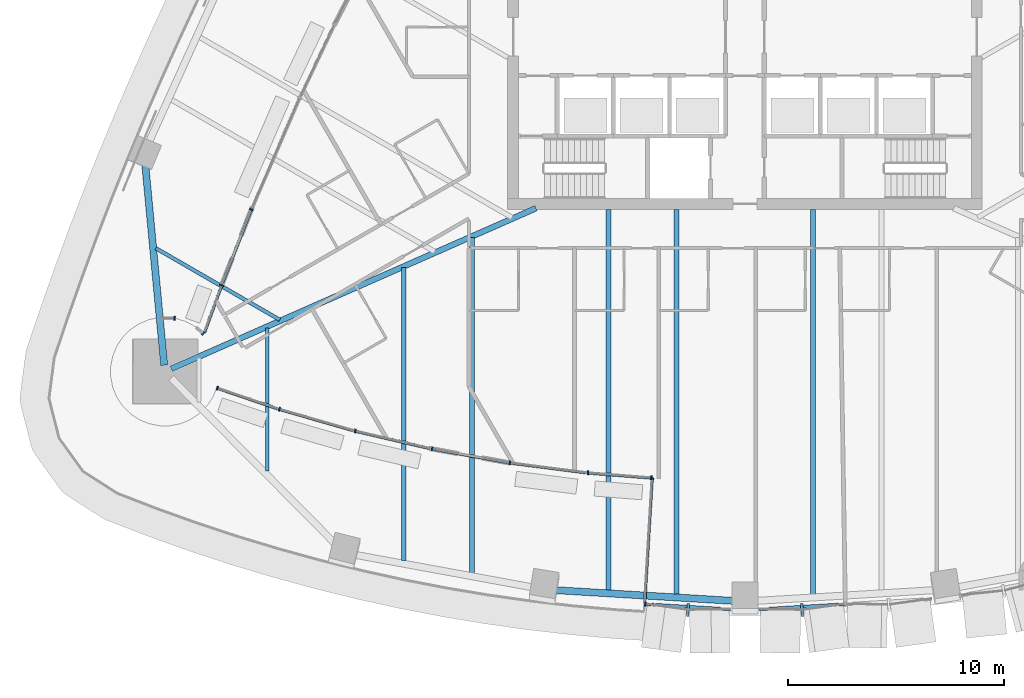
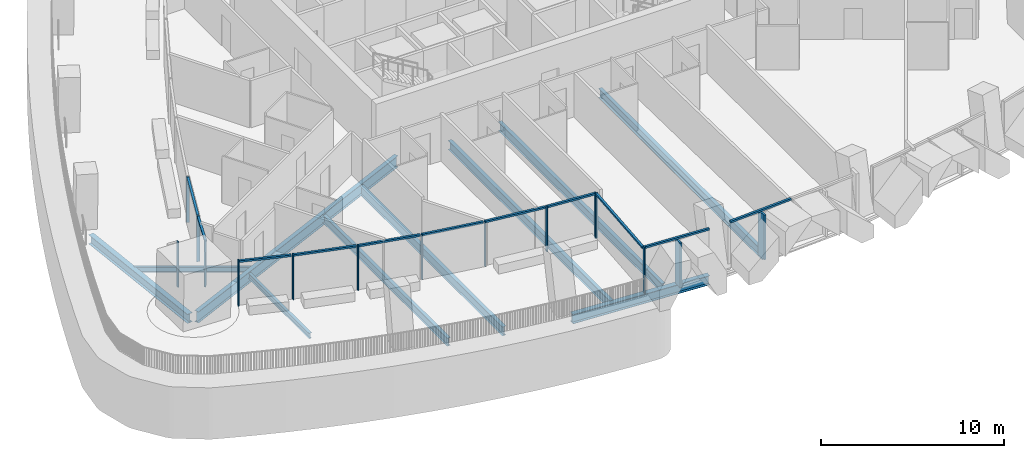
# One storey, part 2 of 24: 26 members, 10 beams, 13 elements without a shape of their own.
"""IFC4 building model written with IfcOpenShell, lengths in metres."""

from ifc_helpers import new_model, si_unit, direction, frame, origin, origin_2d, place, context, subcontext, project, spatial, rectangle, i_section, extrude, material, layer, layer_set, material_profile, profile_set, type_object, element, aggregate, save


model = new_model("IFC4")

# Units and contexts
model_context = context("Model", 3, precision=1e-05, world=origin(), true_north=direction((0.0, 1.0)))
body_context = subcontext(model_context, "Body", "Model", "MODEL_VIEW")
ifc_project = project(units=[si_unit("LENGTHUNIT", "METRE"), si_unit("AREAUNIT", "SQUARE_METRE"), si_unit("VOLUMEUNIT", "CUBIC_METRE"), si_unit("PLANEANGLEUNIT", "RADIAN"), si_unit("MASSUNIT", "GRAM", prefix="KILO")], contexts=[model_context])

# Site, building, storey
site_placement = place(None, origin())
site = spatial("IfcSite", under=ifc_project, at=site_placement, CompositionType="ELEMENT")
building_placement = place(site_placement, origin())
building = spatial("IfcBuilding", under=site, at=building_placement, Name="Sierra Prisma Convention Tower", CompositionType="ELEMENT")
storey_placement = place(building_placement, frame((0.0, 0.0, 59.10009765625)))
storey = spatial("IfcBuildingStorey", under=building, at=storey_placement, Name="L10", CompositionType="ELEMENT", Elevation=59.10009765625)

# Curtain wall, member
ifc_material_1 = material(Name="Aluminium and glass curtain wall", Category="aluminium")
ifc_layer_1 = layer(ifc_material_1, 0.179931640625)
ifc_layer_set_1 = layer_set([ifc_layer_1], Name="CW-2 Faceted crystal curtain wall")
curtain_wall_type_1 = type_object("IfcCurtainWallType", Name="CW-2 Faceted crystal curtain wall", PredefinedType="NOTDEFINED", material=ifc_layer_set_1)
curtain_wall_1_placement = place(storey_placement, origin())
curtain_wall_1 = element("IfcCurtainWall", 1, at=curtain_wall_1_placement, inside=storey, type_object=curtain_wall_type_1, Name="CW-2 S3b L10", PredefinedType="NOTDEFINED")
ifc_material_2 = material(Name="Aluminium 6063-T6 bronze anodised", Category="aluminium")
ifc_material_profile_1 = material_profile(ifc_material_2, rectangle(XDim=0.1201171875, YDim=0.60009765625, at=origin_2d()), Name="ALU RIDGE BLADE 120x600")
ifc_profile_set_1 = profile_set([ifc_material_profile_1], Name="Aluminium 6063-T6 bronze anodised")
member_type_1 = type_object("IfcMemberType", Name="CW hip bronze", PredefinedType="MULLION", material=ifc_profile_set_1)
member_1_placement = place(storey_placement, frame((-2.63720703125, -26.591552734375, 0.0), z_axis=(0.0, 0.0, 1.0), x_axis=(0.998203551738, -0.059913848972, 0.0)))
member_1 = element("IfcMember", 2, at=member_1_placement, type_object=member_type_1, Name="CW-2 ridge S3b.1", PredefinedType="MULLION", context=body_context, shape_type="SweptSolid", body=[
    extrude(rectangle(XDim=0.1201171875, YDim=0.60009765625, at=origin_2d()), origin(), (0.0, 0.0, 1.0), 2.97998046875),
])

curtain_wall_2_placement = place(storey_placement, origin())
curtain_wall_2 = element("IfcCurtainWall", 3, at=curtain_wall_2_placement, inside=storey, type_object=curtain_wall_type_1, Name="CW-2 S4 L10", PredefinedType="NOTDEFINED")
member_2_placement = place(storey_placement, frame((2.65478515625, -26.591796875, 0.0), z_axis=(0.0, 0.0, 1.0), x_axis=(0.998203551738, 0.059913848972, 0.0)))
member_2 = element("IfcMember", 4, at=member_2_placement, type_object=member_type_1, Name="CW-2 ridge S4.1", PredefinedType="MULLION", context=body_context, shape_type="SweptSolid", body=[
    extrude(rectangle(XDim=0.1201171875, YDim=0.60009765625, at=origin_2d()), origin(), (0.0, 0.0, 1.0), 2.97998046875),
])

# Member
ifc_material_3 = material(Name="Aluminium 6063-T6 bronze anodised", Category="aluminium")
ifc_material_profile_2 = material_profile(ifc_material_3, rectangle(XDim=0.179931640625, YDim=0.070068359375, at=origin_2d()), Name="ALU MULLION 70x180")
ifc_profile_set_2 = profile_set([ifc_material_profile_2], Name="Aluminium 6063-T6 bronze anodised")
member_type_2 = type_object("IfcMemberType", Name="CW mullion bronze", PredefinedType="MULLION", material=ifc_profile_set_2)
member_3_placement = place(storey_placement, frame((-4.6220703125, -26.317626953125, 0.0), z_axis=(0.0, 0.0, 1.0), x_axis=(0.059913848972, 0.998203551738, 0.0)))
member_3 = element("IfcMember", 5, at=member_3_placement, type_object=member_type_2, Name="CW-1 mullion S3b.1", PredefinedType="MULLION", context=body_context, shape_type="SweptSolid", body=[
    extrude(rectangle(XDim=0.179931640625, YDim=0.070068359375, at=origin_2d()), origin(), (0.0, 0.0, 1.0), 3.099853515625),
])

# Curtain wall, member
ifc_material_4 = material(Name="Aluminium and glass curtain wall", Category="aluminium")
ifc_layer_2 = layer(ifc_material_4, 0.179931640625)
ifc_layer_set_2 = layer_set([ifc_layer_2], Name="CW-6 Terrace recess curtain wall")
curtain_wall_type_2 = type_object("IfcCurtainWallType", Name="CW-6 Terrace recess curtain wall", PredefinedType="NOTDEFINED", material=ifc_layer_set_2)
curtain_wall_3_placement = place(storey_placement, origin())
curtain_wall_3 = element("IfcCurtainWall", 6, at=curtain_wall_3_placement, inside=storey, type_object=curtain_wall_type_2, Name="CW-6 R6 L10", PredefinedType="NOTDEFINED")
member_4_placement = place(storey_placement, frame((-22.8876953125, -8.011962890625, 0.0), z_axis=(0.0, 0.0, 1.0), x_axis=(0.930852029514, -0.365396358972, 0.0)))
member_4 = element("IfcMember", 7, at=member_4_placement, type_object=member_type_2, Name="CW-6 mullion R6.1", PredefinedType="MULLION", context=body_context, shape_type="SweptSolid", body=[
    extrude(rectangle(XDim=0.179931640625, YDim=0.070068359375, at=origin_2d()), origin(), (0.0, 0.0, 1.0), 3.039794921875),
])

curtain_wall_4_placement = place(storey_placement, origin())
curtain_wall_4 = element("IfcCurtainWall", 8, at=curtain_wall_4_placement, inside=storey, type_object=curtain_wall_type_2, Name="CW-6 R7 L10", PredefinedType="NOTDEFINED")
member_5_placement = place(storey_placement, frame((-24.26513671875, -11.522705078125, 0.0), z_axis=(0.0, 0.0, 1.0), x_axis=(0.939353847728, -0.342949484266, 0.0)))
member_5 = element("IfcMember", 9, at=member_5_placement, type_object=member_type_2, Name="CW-6 mullion R7.1", PredefinedType="MULLION", context=body_context, shape_type="SweptSolid", body=[
    extrude(rectangle(XDim=0.179931640625, YDim=0.070068359375, at=origin_2d()), origin(), (0.0, 0.0, 1.0), 3.039794921875),
])

curtain_wall_5_placement = place(storey_placement, origin())
curtain_wall_5 = element("IfcCurtainWall", 10, at=curtain_wall_5_placement, inside=storey, type_object=curtain_wall_type_2, Name="CW-6 R8 L10", PredefinedType="NOTDEFINED")
member_6_placement = place(storey_placement, frame((-25.116455078125, -13.759033203125, 0.0), z_axis=(0.0, 0.0, 1.0), x_axis=(-0.643610345936, -0.76535333187, 0.0)))
member_6 = element("IfcMember", 11, at=member_6_placement, type_object=member_type_2, Name="CW-6 mullion R8.1", PredefinedType="MULLION", context=body_context, shape_type="SweptSolid", body=[
    extrude(rectangle(XDim=0.179931640625, YDim=0.070068359375, at=origin_2d()), origin(), (0.0, 0.0, 1.0), 3.039794921875),
])
aggregate(curtain_wall_5, [member_6])

curtain_wall_6_placement = place(storey_placement, origin())
curtain_wall_6 = element("IfcCurtainWall", 12, at=curtain_wall_6_placement, inside=storey, type_object=curtain_wall_type_2, Name="CW-6 R11 L10", PredefinedType="NOTDEFINED")
member_7_placement = place(storey_placement, frame((-26.445068359375, -13.057373046875, 0.0), z_axis=(0.0, 0.0, 1.0), x_axis=(-0.049067674327, -0.998795456205, 0.0)))
member_7 = element("IfcMember", 13, at=member_7_placement, type_object=member_type_2, Name="CW-6 mullion R11.1", PredefinedType="MULLION", context=body_context, shape_type="SweptSolid", body=[
    extrude(rectangle(XDim=0.179931640625, YDim=0.070068359375, at=origin_2d()), origin(), (0.0, 0.0, 1.0), 3.039794921875),
])
aggregate(curtain_wall_6, [member_7])

curtain_wall_7_placement = place(storey_placement, origin())
curtain_wall_7 = element("IfcCurtainWall", 14, at=curtain_wall_7_placement, inside=storey, type_object=curtain_wall_type_2, Name="CW-6 R34 L10", PredefinedType="NOTDEFINED")
member_8_placement = place(storey_placement, frame((-24.4638671875, -16.29638671875, 0.0), z_axis=(0.0, 0.0, 1.0), x_axis=(0.322586394211, 0.946540024653, 0.0)))
member_8 = element("IfcMember", 15, at=member_8_placement, type_object=member_type_2, Name="CW-6 mullion R34.1", PredefinedType="MULLION", context=body_context, shape_type="SweptSolid", body=[
    extrude(rectangle(XDim=0.179931640625, YDim=0.070068359375, at=origin_2d()), origin(), (0.0, 0.0, 1.0), 3.039794921875),
])

curtain_wall_8_placement = place(storey_placement, origin())
curtain_wall_8 = element("IfcCurtainWall", 16, at=curtain_wall_8_placement, inside=storey, type_object=curtain_wall_type_2, Name="CW-6 R35 L10", PredefinedType="NOTDEFINED")
member_9_placement = place(storey_placement, frame((-21.589111328125, -17.274169921875, 0.0), z_axis=(0.0, 0.0, 1.0), x_axis=(0.276491863077, 0.961016258786, 0.0)))
member_9 = element("IfcMember", 17, at=member_9_placement, type_object=member_type_2, Name="CW-6 mullion R35.1", PredefinedType="MULLION", context=body_context, shape_type="SweptSolid", body=[
    extrude(rectangle(XDim=0.179931640625, YDim=0.070068359375, at=origin_2d()), origin(), (0.0, 0.0, 1.0), 3.039794921875),
])

curtain_wall_9_placement = place(storey_placement, origin())
curtain_wall_9 = element("IfcCurtainWall", 18, at=curtain_wall_9_placement, inside=storey, type_object=curtain_wall_type_2, Name="CW-6 R36 L10", PredefinedType="NOTDEFINED")
member_10_placement = place(storey_placement, frame((-18.0712890625, -18.284423828125, 0.0), z_axis=(0.0, 0.0, 1.0), x_axis=(0.227205213604, 0.97384690322, 0.0)))
member_10 = element("IfcMember", 19, at=member_10_placement, type_object=member_type_2, Name="CW-6 mullion R36.1", PredefinedType="MULLION", context=body_context, shape_type="SweptSolid", body=[
    extrude(rectangle(XDim=0.179931640625, YDim=0.070068359375, at=origin_2d()), origin(), (0.0, 0.0, 1.0), 3.039794921875),
])

curtain_wall_10_placement = place(storey_placement, origin())
curtain_wall_10 = element("IfcCurtainWall", 20, at=curtain_wall_10_placement, inside=storey, type_object=curtain_wall_type_2, Name="CW-6 R37 L10", PredefinedType="NOTDEFINED")
member_11_placement = place(storey_placement, frame((-14.506591796875, -19.1142578125, 0.0), z_axis=(0.0, 0.0, 1.0), x_axis=(0.177329239418, 0.984151584283, 0.0)))
member_11 = element("IfcMember", 21, at=member_11_placement, type_object=member_type_2, Name="CW-6 mullion R37.1", PredefinedType="MULLION", context=body_context, shape_type="SweptSolid", body=[
    extrude(rectangle(XDim=0.179931640625, YDim=0.070068359375, at=origin_2d()), origin(), (0.0, 0.0, 1.0), 3.039794921875),
])

curtain_wall_11_placement = place(storey_placement, origin())
curtain_wall_11 = element("IfcCurtainWall", 22, at=curtain_wall_11_placement, inside=storey, type_object=curtain_wall_type_2, Name="CW-6 R38 L10", PredefinedType="NOTDEFINED")
member_12_placement = place(storey_placement, frame((-10.904296875, -19.76171875, 0.0), z_axis=(0.0, 0.0, 1.0), x_axis=(0.126993308782, 0.991903573703, 0.0)))
member_12 = element("IfcMember", 23, at=member_12_placement, type_object=member_type_2, Name="CW-6 mullion R38.1", PredefinedType="MULLION", context=body_context, shape_type="SweptSolid", body=[
    extrude(rectangle(XDim=0.179931640625, YDim=0.070068359375, at=origin_2d()), origin(), (0.0, 0.0, 1.0), 3.039794921875),
])

# Curtain wall, members
curtain_wall_12_placement = place(storey_placement, origin())
curtain_wall_12 = element("IfcCurtainWall", 24, at=curtain_wall_12_placement, inside=storey, type_object=curtain_wall_type_2, Name="CW-6 R39 L10", PredefinedType="NOTDEFINED")
member_13_placement = place(storey_placement, frame((-7.2734375, -20.224853515625, 0.0), z_axis=(0.0, 0.0, 1.0), x_axis=(0.079058299122, 0.996869994202, 0.0)))
member_13 = element("IfcMember", 25, at=member_13_placement, type_object=member_type_2, Name="CW-6 mullion R39.1", PredefinedType="MULLION", context=body_context, shape_type="SweptSolid", body=[
    extrude(rectangle(XDim=0.179931640625, YDim=0.070068359375, at=origin_2d()), origin(), (0.0, 0.0, 1.0), 3.039794921875),
])
member_14_placement = place(storey_placement, frame((-4.34033203125, -20.457275390625, 0.0), z_axis=(0.0, 0.0, 1.0), x_axis=(0.079058299122, 0.996869994202, 0.0)))
member_14 = element("IfcMember", 26, at=member_14_placement, type_object=member_type_2, Name="CW-6 mullion R39.2", PredefinedType="MULLION", context=body_context, shape_type="SweptSolid", body=[
    extrude(rectangle(XDim=0.179931640625, YDim=0.070068359375, at=origin_2d()), origin(), (0.0, 0.0, 1.0), 3.039794921875),
])

# Curtain wall, member
curtain_wall_13_placement = place(storey_placement, origin())
curtain_wall_13 = element("IfcCurtainWall", 27, at=curtain_wall_13_placement, inside=storey, type_object=curtain_wall_type_2, Name="CW-6 RT2 L10", PredefinedType="NOTDEFINED")
member_15_placement = place(storey_placement, frame((-4.3076171875, -20.4951171875, 0.0), z_axis=(0.0, 0.0, 1.0), x_axis=(0.998203551738, -0.059913848972, 0.0)))
member_15 = element("IfcMember", 28, at=member_15_placement, type_object=member_type_2, Name="CW-6 mullion RT2.1", PredefinedType="MULLION", context=body_context, shape_type="SweptSolid", body=[
    extrude(rectangle(XDim=0.179931640625, YDim=0.070068359375, at=origin_2d()), origin(), (0.0, 0.0, 1.0), 3.039794921875),
])

# Member
ifc_material_5 = material(Name="Aluminium 6063-T6 bronze anodised", Category="aluminium")
ifc_material_profile_3 = material_profile(ifc_material_5, rectangle(XDim=0.139892578125, YDim=0.1201171875, at=origin_2d()), Name="ALU TRANSOM 120x140")
ifc_profile_set_3 = profile_set([ifc_material_profile_3], Name="Aluminium 6063-T6 bronze anodised")
member_type_3 = type_object("IfcMemberType", Name="CW transom bronze", PredefinedType="USERDEFINED", material=ifc_profile_set_3)
member_16_placement = place(storey_placement, frame((-4.587158203125, -26.31982421875, 3.039794921875), z_axis=(0.998204845466, -0.059892290728, 0.0), x_axis=(0.059892290728, 0.998204845466, 0.0)))
member_16 = element("IfcMember", 29, at=member_16_placement, type_object=member_type_3, Name="CW-1 transom S3b.1", ObjectType="TRANSOM", PredefinedType="USERDEFINED", context=body_context, shape_type="SweptSolid", body=[
    extrude(rectangle(XDim=0.139892578125, YDim=0.1201171875, at=origin_2d()), origin(), (0.0, 0.0, 1.0), 3.925537109375),
])

aggregate(curtain_wall_1, [member_3, member_16, member_1])

member_17_placement = place(storey_placement, frame((0.668701171875, -26.554931640625, 3.039794921875), z_axis=(0.998203297273, 0.059918088368, 0.0), x_axis=(-0.059918088368, 0.998203297273, 0.0)))
member_17 = element("IfcMember", 30, at=member_17_placement, type_object=member_type_3, Name="CW-1 transom S4.1", ObjectType="TRANSOM", PredefinedType="USERDEFINED", context=body_context, shape_type="SweptSolid", body=[
    extrude(rectangle(XDim=0.139892578125, YDim=0.1201171875, at=origin_2d()), origin(), (0.0, 0.0, 1.0), 3.96044921875),
])

aggregate(curtain_wall_2, [member_17, member_2])

member_18_placement = place(storey_placement, frame((-22.900634765625, -8.04443359375, 2.97998046875), z_axis=(-0.365390275782, -0.930854417384, 0.0), x_axis=(0.930854417384, -0.365390275782, 0.0)))
member_18 = element("IfcMember", 31, at=member_18_placement, type_object=member_type_3, Name="CW-6 transom R6.1", ObjectType="TRANSOM", PredefinedType="USERDEFINED", context=body_context, shape_type="SweptSolid", body=[
    extrude(rectangle(XDim=0.139892578125, YDim=0.1201171875, at=origin_2d()), origin(), (0.0, 0.0, 1.0), 3.631591796875),
])

aggregate(curtain_wall_3, [member_4, member_18])

member_19_placement = place(storey_placement, frame((-24.277099609375, -11.5556640625, 2.97998046875), z_axis=(-0.342919155849, -0.9393649198, 0.0), x_axis=(0.9393649198, -0.342919155849, 0.0)))
member_19 = element("IfcMember", 32, at=member_19_placement, type_object=member_type_3, Name="CW-6 transom R7.1", ObjectType="TRANSOM", PredefinedType="USERDEFINED", context=body_context, shape_type="SweptSolid", body=[
    extrude(rectangle(XDim=0.139892578125, YDim=0.1201171875, at=origin_2d()), origin(), (0.0, 0.0, 1.0), 2.299560546875),
])

aggregate(curtain_wall_4, [member_5, member_19])

member_20_placement = place(storey_placement, frame((-24.4306640625, -16.3076171875, 2.97998046875), z_axis=(0.946537684645, -0.322593260231, 0.0), x_axis=(0.322593260231, 0.946537684645, 0.0)))
member_20 = element("IfcMember", 33, at=member_20_placement, type_object=member_type_3, Name="CW-6 transom R34.1", ObjectType="TRANSOM", PredefinedType="USERDEFINED", context=body_context, shape_type="SweptSolid", body=[
    extrude(rectangle(XDim=0.139892578125, YDim=0.1201171875, at=origin_2d()), origin(), (0.0, 0.0, 1.0), 2.896240234375),
])

aggregate(curtain_wall_7, [member_8, member_20])

member_21_placement = place(storey_placement, frame((-21.5556640625, -17.283935546875, 2.97998046875), z_axis=(0.961030388824, -0.276442745894, 0.0), x_axis=(0.276442745894, 0.961030388824, 0.0)))
member_21 = element("IfcMember", 34, at=member_21_placement, type_object=member_type_3, Name="CW-6 transom R35.1", ObjectType="TRANSOM", PredefinedType="USERDEFINED", context=body_context, shape_type="SweptSolid", body=[
    extrude(rectangle(XDim=0.139892578125, YDim=0.1201171875, at=origin_2d()), origin(), (0.0, 0.0, 1.0), 3.520263671875),
])

aggregate(curtain_wall_8, [member_9, member_21])

member_22_placement = place(storey_placement, frame((-18.037353515625, -18.29248046875, 2.97998046875), z_axis=(0.973848371059, -0.227198922062, 0.0), x_axis=(0.227198922062, 0.973848371059, 0.0)))
member_22 = element("IfcMember", 35, at=member_22_placement, type_object=member_type_3, Name="CW-6 transom R36.1", ObjectType="TRANSOM", PredefinedType="USERDEFINED", context=body_context, shape_type="SweptSolid", body=[
    extrude(rectangle(XDim=0.139892578125, YDim=0.1201171875, at=origin_2d()), origin(), (0.0, 0.0, 1.0), 3.520263671875),
])

aggregate(curtain_wall_9, [member_10, member_22])

member_23_placement = place(storey_placement, frame((-14.47216796875, -19.12060546875, 2.97998046875), z_axis=(0.984149448007, -0.177341095035, 0.0), x_axis=(0.177341095035, 0.984149448007, 0.0)))
member_23 = element("IfcMember", 36, at=member_23_placement, type_object=member_type_3, Name="CW-6 transom R37.1", ObjectType="TRANSOM", PredefinedType="USERDEFINED", context=body_context, shape_type="SweptSolid", body=[
    extrude(rectangle(XDim=0.139892578125, YDim=0.1201171875, at=origin_2d()), origin(), (0.0, 0.0, 1.0), 3.520263671875),
])

aggregate(curtain_wall_10, [member_11, member_23])

member_24_placement = place(storey_placement, frame((-10.869384765625, -19.76611328125, 2.97998046875), z_axis=(0.991903184955, -0.126996345126, 0.0), x_axis=(0.126996345126, 0.991903184955, 0.0)))
member_24 = element("IfcMember", 37, at=member_24_placement, type_object=member_type_3, Name="CW-6 transom R38.1", ObjectType="TRANSOM", PredefinedType="USERDEFINED", context=body_context, shape_type="SweptSolid", body=[
    extrude(rectangle(XDim=0.139892578125, YDim=0.1201171875, at=origin_2d()), origin(), (0.0, 0.0, 1.0), 3.52001953125),
])

aggregate(curtain_wall_11, [member_12, member_24])

member_25_placement = place(storey_placement, frame((-7.238525390625, -20.2275390625, 2.97998046875), z_axis=(0.996870710753, -0.079049263387, 0.0), x_axis=(0.079049263387, 0.996870710753, 0.0)))
member_25 = element("IfcMember", 38, at=member_25_placement, type_object=member_type_3, Name="CW-6 transom R39.1", ObjectType="TRANSOM", PredefinedType="USERDEFINED", context=body_context, shape_type="SweptSolid", body=[
    extrude(rectangle(XDim=0.139892578125, YDim=0.1201171875, at=origin_2d()), origin(), (0.0, 0.0, 1.0), 2.872314453125),
])

aggregate(curtain_wall_12, [member_13, member_14, member_25])

member_26_placement = place(storey_placement, frame((-4.3095703125, -20.530029296875, 2.97998046875), z_axis=(-0.059949220786, -0.998201428033, 0.0), x_axis=(0.998201428033, -0.059949220786, 0.0)))
member_26 = element("IfcMember", 39, at=member_26_placement, type_object=member_type_3, Name="CW-6 transom RT2.1", ObjectType="TRANSOM", PredefinedType="USERDEFINED", context=body_context, shape_type="SweptSolid", body=[
    extrude(rectangle(XDim=0.139892578125, YDim=0.1201171875, at=origin_2d()), origin(), (0.0, 0.0, 1.0), 5.725830078125),
])

aggregate(curtain_wall_13, [member_15, member_26])

# Beams
ifc_material_6 = material(Name="Steel ASTM A992 Gr 50", Category="steel")
ifc_material_profile_4 = material_profile(ifc_material_6, i_section(OverallWidth=0.172119140625, OverallDepth=0.35791015625, WebThickness=0.0078125, FlangeThickness=0.01318359375, at=origin_2d()), Name="W360x57")
ifc_profile_set_4 = profile_set([ifc_material_profile_4], Name="Steel ASTM A992 Gr 50")
beam_type_1 = type_object("IfcBeamType", Name="Floor joist W360x57", PredefinedType="JOIST", material=ifc_profile_set_4)
beam_1_placement = place(storey_placement, frame((-22.15478515625, -20.147216796875, -0.47900390625), z_axis=(0.0, 1.0, 0.0), x_axis=(-1.0, 0.0, 0.0)))
element("IfcBeam", 40, at=beam_1_placement, inside=storey, type_object=beam_type_1, Name="Floor joist L10 S02", PredefinedType="JOIST", context=body_context, shape_type="SweptSolid", body=[
    extrude(i_section(OverallWidth=0.172119140625, OverallDepth=0.35791015625, WebThickness=0.0078125, FlangeThickness=0.01318359375, at=origin_2d()), origin(), (0.0, 0.0, 1.0), 6.648193359375),
])
beam_2_placement = place(storey_placement, frame((-27.320068359375, -9.808837890625, -0.47900390625), z_axis=(0.866031818425, -0.499988889351, 0.0), x_axis=(0.499988889351, 0.866031818425, 0.0)))
element("IfcBeam", 41, at=beam_2_placement, inside=storey, type_object=beam_type_1, Name="Floor joist L10 NW16", PredefinedType="JOIST", context=body_context, shape_type="SweptSolid", body=[
    extrude(i_section(OverallWidth=0.172119140625, OverallDepth=0.35791015625, WebThickness=0.0078125, FlangeThickness=0.01318359375, at=origin_2d()), origin(), (0.0, 0.0, 1.0), 6.636474609375),
])
ifc_material_7 = material(Name="Steel ASTM A992 Gr 50", Category="steel")
ifc_material_profile_5 = material_profile(ifc_material_7, i_section(OverallWidth=0.208984375, OverallDepth=0.532958984375, WebThickness=0.01025390625, FlangeThickness=0.015625, at=origin_2d()), Name="W530x92")
ifc_profile_set_5 = profile_set([ifc_material_profile_5], Name="Steel ASTM A992 Gr 50")
beam_type_2 = type_object("IfcBeamType", Name="Floor joist W530x92", PredefinedType="JOIST", material=ifc_profile_set_5)
beam_3_placement = place(storey_placement, frame((-15.82470703125, -24.32373046875, -0.566650390625), z_axis=(0.0, 1.0, 0.0), x_axis=(-1.0, 0.0, 0.0)))
element("IfcBeam", 42, at=beam_3_placement, inside=storey, type_object=beam_type_2, Name="Floor joist L10 S04", PredefinedType="JOIST", context=body_context, shape_type="SweptSolid", body=[
    extrude(i_section(OverallWidth=0.208984375, OverallDepth=0.532958984375, WebThickness=0.01025390625, FlangeThickness=0.015625, at=origin_2d()), origin(), (0.0, 0.0, 1.0), 13.612548828125),
])
ifc_material_8 = material(Name="Steel ASTM A992 Gr 50", Category="steel")
ifc_material_profile_6 = material_profile(ifc_material_8, i_section(OverallWidth=0.22802734375, OverallDepth=0.60302734375, WebThickness=0.010498046875, FlangeThickness=0.014892578125, at=origin_2d()), Name="W610x101")
ifc_profile_set_6 = profile_set([ifc_material_profile_6], Name="Steel ASTM A992 Gr 50")
beam_type_3 = type_object("IfcBeamType", Name="Floor joist W610x101", PredefinedType="JOIST", material=ifc_profile_set_6)
beam_4_placement = place(storey_placement, frame((-12.659912109375, -24.904052734375, -0.6015625), z_axis=(0.0, 1.0, 0.0), x_axis=(-1.0, 0.0, 0.0)))
element("IfcBeam", 43, at=beam_4_placement, inside=storey, type_object=beam_type_3, Name="Floor joist L10 S05", PredefinedType="JOIST", context=body_context, shape_type="SweptSolid", body=[
    extrude(i_section(OverallWidth=0.22802734375, OverallDepth=0.60302734375, WebThickness=0.010498046875, FlangeThickness=0.014892578125, at=origin_2d()), origin(), (0.0, 0.0, 1.0), 15.586669921875),
])
beam_5_placement = place(storey_placement, frame((-6.329833984375, -25.700439453125, -0.6015625), z_axis=(0.0, 1.0, 0.0), x_axis=(-1.0, 0.0, 0.0)))
element("IfcBeam", 44, at=beam_5_placement, inside=storey, type_object=beam_type_3, Name="Floor joist L10 S07", PredefinedType="JOIST", context=body_context, shape_type="SweptSolid", body=[
    extrude(i_section(OverallWidth=0.22802734375, OverallDepth=0.60302734375, WebThickness=0.010498046875, FlangeThickness=0.014892578125, at=origin_2d()), origin(), (0.0, 0.0, 1.0), 17.700439453125),
])
for number, where, z_axis, x_axis, name in (
    (45, (-3.1650390625, -25.891357421875, -0.45166015625), (0.0, 1.0, 0.0), (-1.0, 0.0, 0.0), "Floor joist L10 S08"),
    (46, (3.1650390625, -25.891357421875, -0.45166015625), (0.0, 1.0, 0.0), (-1.0, 0.0, 0.0), "Floor joist L10 S10"),
):
    element("IfcBeam", number, at=place(storey_placement, frame(where, z_axis=z_axis, x_axis=x_axis)), inside=storey, type_object=beam_type_3, Name=name, PredefinedType="JOIST", context=body_context, shape_type="SweptSolid", body=[
        extrude(i_section(OverallWidth=0.22802734375, OverallDepth=0.60302734375, WebThickness=0.010498046875, FlangeThickness=0.014892578125, at=origin_2d()), origin(), (0.0, 0.0, 1.0), 17.891357421875),
    ])
ifc_material_9 = material(Name="Steel ASTM A992 Gr 50", Category="steel")
ifc_material_profile_7 = material_profile(ifc_material_9, i_section(OverallWidth=0.264892578125, OverallDepth=0.7529296875, WebThickness=0.01318359375, FlangeThickness=0.01708984375, at=origin_2d()), Name="W760x147")
ifc_profile_set_7 = profile_set([ifc_material_profile_7], Name="Steel ASTM A992 Gr 50")
beam_type_4 = type_object("IfcBeamType", Name="Radial girder W760x147", PredefinedType="BEAM", material=ifc_profile_set_7)
beam_6_placement = place(storey_placement, frame((-26.60205078125, -15.39990234375, -0.526611328125), z_axis=(0.915174910206, 0.403056923685, 0.0), x_axis=(-0.403056923685, 0.915174910206, 0.0)))
element("IfcBeam", 47, at=beam_6_placement, inside=storey, type_object=beam_type_4, Name="Radial girder L10 SW", PredefinedType="BEAM", context=body_context, shape_type="SweptSolid", body=[
    extrude(i_section(OverallWidth=0.264892578125, OverallDepth=0.7529296875, WebThickness=0.01318359375, FlangeThickness=0.01708984375, at=origin_2d()), origin(), (0.0, 0.0, 1.0), 18.4794921875),
])
ifc_material_10 = material(Name="Steel ASTM A992 Gr 50", Category="steel")
ifc_material_profile_8 = material_profile(ifc_material_10, i_section(OverallWidth=0.324951171875, OverallDepth=0.615966796875, WebThickness=0.013916015625, FlangeThickness=0.021484375, at=origin_2d()), Name="W610x174")
ifc_profile_set_8 = profile_set([ifc_material_profile_8], Name="Steel ASTM A992 Gr 50")
beam_type_5 = type_object("IfcBeamType", Name="Spandrel beam W610x174", PredefinedType="BEAM", material=ifc_profile_set_8)
beam_7_placement = place(storey_placement, frame((-8.833740234375, -25.662109375, -0.608154296875), z_axis=(0.99818553896, -0.060213202958, 0.0), x_axis=(0.060213202958, 0.99818553896, 0.0)))
element("IfcBeam", 48, at=beam_7_placement, inside=storey, type_object=beam_type_5, Name="Spandrel L10-03", PredefinedType="BEAM", context=body_context, shape_type="SweptSolid", body=[
    extrude(i_section(OverallWidth=0.324951171875, OverallDepth=0.615966796875, WebThickness=0.013916015625, FlangeThickness=0.021484375, at=origin_2d()), origin(), (0.0, 0.0, 1.0), 8.36865234375),
])
beam_8_placement = place(storey_placement, frame((-27.80810546875, -5.93359375, -0.608154296875), z_axis=(0.09397392477, -0.99557465891, 0.0), x_axis=(0.99557465891, 0.09397392477, 0.0)))
element("IfcBeam", 49, at=beam_8_placement, inside=storey, type_object=beam_type_5, Name="Spandrel L10-18", PredefinedType="BEAM", context=body_context, shape_type="SweptSolid", body=[
    extrude(i_section(OverallWidth=0.324951171875, OverallDepth=0.615966796875, WebThickness=0.013916015625, FlangeThickness=0.021484375, at=origin_2d()), origin(), (0.0, 0.0, 1.0), 9.339599609375),
])

save(model, "model.ifc")
